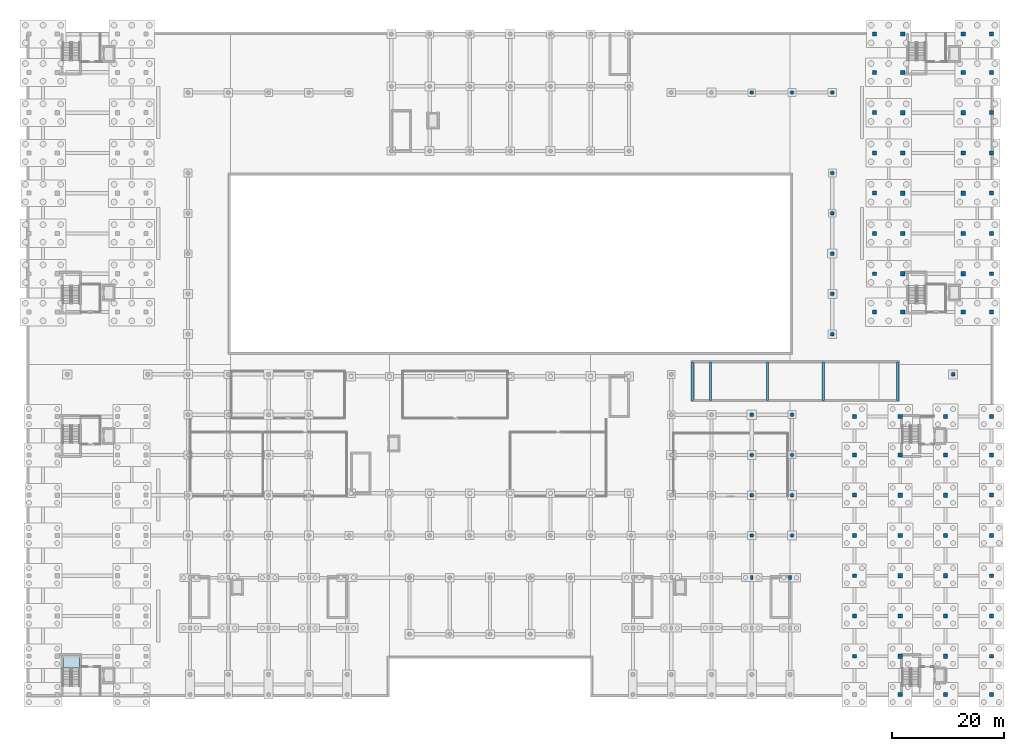
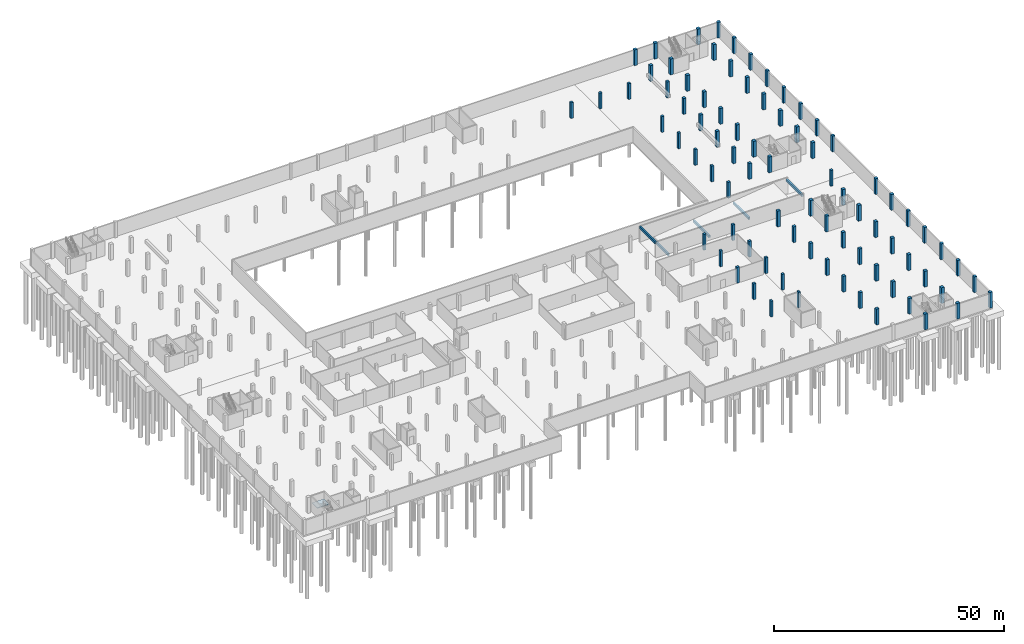
# One storey, part 15 of 36: 82 columns, 5 beams, 1 slab, 1 element without a shape of its own.
"""IFC4 building model written with IfcOpenShell, lengths in metres."""

from ifc_helpers import new_model, si_unit, derived_unit, direction, frame, origin, origin_2d, place, context, subcontext, project, spatial, polyline, rectangle, outline, extrude, material, layer, layer_set, material_profile, profile_set, type_object, element, aggregate, save


model = new_model("IFC4")

# Units and contexts
model_context = context("Model", 3, precision=1e-05, world=origin(), true_north=direction((0.0, 1.0)))
body_context = subcontext(model_context, "Body", "Model", "MODEL_VIEW")
ifc_project = project(units=[si_unit("LENGTHUNIT", "METRE"), si_unit("AREAUNIT", "SQUARE_METRE"), si_unit("VOLUMEUNIT", "CUBIC_METRE"), si_unit("PLANEANGLEUNIT", "RADIAN"), si_unit("MASSUNIT", "GRAM", prefix="KILO"), derived_unit("THERMALTRANSMITTANCEUNIT", [(si_unit("MASSUNIT", "GRAM", prefix="KILO"), 1), (si_unit("TIMEUNIT", "SECOND"), -3), (si_unit("THERMODYNAMICTEMPERATUREUNIT", "KELVIN"), -1)])], contexts=[model_context])

# Site, building, storey
site_placement = place(None, origin())
site = spatial("IfcSite", under=ifc_project, at=site_placement, CompositionType="ELEMENT")
building_placement = place(site_placement, origin())
building = spatial("IfcBuilding", under=site, at=building_placement, Name="Ochrekiln Boulevard Commons", CompositionType="ELEMENT")
storey_placement = place(building_placement, frame((0.0, 0.0, -4.199951171875)))
storey = spatial("IfcBuildingStorey", under=building, at=storey_placement, Name="B1", CompositionType="ELEMENT", Elevation=-4.199951171875)

# Columns
ifc_material_1 = material(Name="Concrete C35/45", Category="concrete")
ifc_material_profile_1 = material_profile(ifc_material_1, rectangle(XDim=0.5, YDim=0.699951171875, at=origin_2d()), Name="RC-COL-500x700")
ifc_profile_set_1 = profile_set([ifc_material_profile_1], Name="Concrete C35/45")
column_type_1 = type_object("IfcColumnType", Name="COL-RC-500x700", PredefinedType="COLUMN", material=ifc_profile_set_1)
for number, where, z_axis, x_axis, name in (
    (1, (129.60009765625, 21.25, 0.0), (0.0, 0.0, 1.0), (1.0, 0.0, 0.0), "East Boulevard Shops and Arcade B1 Column C-5070 (16)"),
    (2, (136.449951171875, 21.25, 0.0), (0.0, 0.0, 1.0), (1.0, 0.0, 0.0), "East Boulevard Shops and Arcade B1 Column C-5070 (20)"),
):
    element("IfcColumn", number, at=place(storey_placement, frame(where, z_axis=z_axis, x_axis=x_axis)), inside=storey, type_object=column_type_1, Name=name, PredefinedType="COLUMN", context=body_context, shape_type="SweptSolid", body=[
        extrude(rectangle(XDim=0.5, YDim=0.699951171875, at=origin_2d()), origin(), (0.0, 0.0, 1.0), 4.199951171875),
    ])
ifc_material_2 = material(Name="Concrete C40/50", Category="concrete")
ifc_material_profile_2 = material_profile(ifc_material_2, rectangle(XDim=0.60009765625, YDim=0.60009765625, at=origin_2d()), Name="RC-COL-600x600")
ifc_profile_set_2 = profile_set([ifc_material_profile_2], Name="Concrete C40/50")
column_type_2 = type_object("IfcColumnType", Name="COL-RC-600", PredefinedType="COLUMN", material=ifc_profile_set_2)
for number, where, z_axis, x_axis, name in (
    (3, (129.60009765625, 28.800048828125, 0.0), (0.0, 0.0, 1.0), (1.0, 0.0, 0.0), "B1 Courtyard Plaza Column C-600 (52)"),
    (4, (129.60009765625, 36.0, 0.0), (0.0, 0.0, 1.0), (1.0, 0.0, 0.0), "B1 Courtyard Plaza Column C-600 (53)"),
    (5, (129.60009765625, 43.199951171875, 0.0), (0.0, 0.0, 1.0), (1.0, 0.0, 0.0), "B1 Courtyard Plaza Column C-600 (54)"),
    (6, (129.60009765625, 50.39990234375, 0.0), (0.0, 0.0, 1.0), (1.0, 0.0, 0.0), "B1 Courtyard Plaza Column C-600 (55)"),
    (7, (129.60009765625, 108.0, 0.0), (0.0, 0.0, 1.0), (1.0, 0.0, 0.0), "B1 Courtyard Plaza Column C-600 (56)"),
    (8, (136.800048828125, 28.800048828125, 0.0), (0.0, 0.0, 1.0), (1.0, 0.0, 0.0), "B1 Courtyard Plaza Column C-600 (57)"),
    (9, (136.800048828125, 36.0, 0.0), (0.0, 0.0, 1.0), (1.0, 0.0, 0.0), "B1 Courtyard Plaza Column C-600 (58)"),
    (10, (136.800048828125, 43.199951171875, 0.0), (0.0, 0.0, 1.0), (1.0, 0.0, 0.0), "B1 Courtyard Plaza Column C-600 (59)"),
    (11, (136.800048828125, 50.39990234375, 0.0), (0.0, 0.0, 1.0), (1.0, 0.0, 0.0), "B1 Courtyard Plaza Column C-600 (60)"),
    (12, (136.800048828125, 108.0, 0.0), (0.0, 0.0, 1.0), (1.0, 0.0, 0.0), "B1 Courtyard Plaza Column C-600 (61)"),
    (13, (144.0, 64.800048828125, 0.0), (0.0, 0.0, 1.0), (1.0, 0.0, 0.0), "B1 Courtyard Plaza Column C-600 (62)"),
    (14, (144.0, 72.0, 0.0), (0.0, 0.0, 1.0), (1.0, 0.0, 0.0), "B1 Courtyard Plaza Column C-600 (63)"),
    (15, (144.0, 79.199951171875, 0.0), (0.0, 0.0, 1.0), (1.0, 0.0, 0.0), "B1 Courtyard Plaza Column C-600 (64)"),
    (16, (144.0, 86.39990234375, 0.0), (0.0, 0.0, 1.0), (1.0, 0.0, 0.0), "B1 Courtyard Plaza Column C-600 (65)"),
    (17, (144.0, 93.60009765625, 0.0), (0.0, 0.0, 1.0), (1.0, 0.0, 0.0), "B1 Courtyard Plaza Column C-600 (66)"),
    (18, (144.0, 108.0, 0.0), (0.0, 0.0, 1.0), (1.0, 0.0, 0.0), "B1 Courtyard Plaza Column C-600 (67)"),
    (19, (165.60009765625, 57.60009765625, 0.0), (0.0, 0.0, 1.0), (1.0, 0.0, 0.0), "B1 Courtyard Plaza Column C-600 (68)"),
):
    element("IfcColumn", number, at=place(storey_placement, frame(where, z_axis=z_axis, x_axis=x_axis)), inside=storey, type_object=column_type_2, Name=name, PredefinedType="COLUMN", context=body_context, shape_type="SweptSolid", body=[
        extrude(rectangle(XDim=0.60009765625, YDim=0.60009765625, at=origin_2d()), origin(), (0.0, 0.0, 1.0), 4.199951171875),
    ])
ifc_material_profile_3 = material_profile(ifc_material_2, rectangle(XDim=0.699951171875, YDim=0.699951171875, at=origin_2d()), Name="RC-COL-700x700")
ifc_profile_set_3 = profile_set([ifc_material_profile_3], Name="Concrete C40/50")
column_type_3 = type_object("IfcColumnType", Name="COL-RC-700", PredefinedType="COLUMN", material=ifc_profile_set_3)
for number, where, z_axis, x_axis, name in (
    (20, (151.550048828125, 68.75, 0.0), (0.0, 0.0, 1.0), (1.0, 0.0, 0.0), "Block B B1 Column C-700 (1)"),
    (21, (151.550048828125, 75.60009765625, 0.0), (0.0, 0.0, 1.0), (1.0, 0.0, 0.0), "Block B B1 Column C-700 (2)"),
    (22, (151.550048828125, 82.800048828125, 0.0), (0.0, 0.0, 1.0), (1.0, 0.0, 0.0), "Block B B1 Column C-700 (3)"),
    (23, (151.550048828125, 90.0, 0.0), (0.0, 0.0, 1.0), (1.0, 0.0, 0.0), "Block B B1 Column C-700 (4)"),
    (24, (151.550048828125, 97.199951171875, 0.0), (0.0, 0.0, 1.0), (1.0, 0.0, 0.0), "Block B B1 Column C-700 (5)"),
    (25, (151.550048828125, 104.39990234375, 0.0), (0.0, 0.0, 1.0), (1.0, 0.0, 0.0), "Block B B1 Column C-700 (6)"),
    (26, (151.550048828125, 111.60009765625, 0.0), (0.0, 0.0, 1.0), (1.0, 0.0, 0.0), "Block B B1 Column C-700 (7)"),
    (27, (151.550048828125, 118.449951171875, 0.0), (0.0, 0.0, 1.0), (1.0, 0.0, 0.0), "Block B B1 Column C-700 (8)"),
    (28, (172.449951171875, 68.75, 0.0), (0.0, 0.0, 1.0), (1.0, 0.0, 0.0), "Block B B1 Column C-700 (25)"),
    (29, (172.449951171875, 75.60009765625, 0.0), (0.0, 0.0, 1.0), (1.0, 0.0, 0.0), "Block B B1 Column C-700 (26)"),
    (30, (172.449951171875, 82.800048828125, 0.0), (0.0, 0.0, 1.0), (1.0, 0.0, 0.0), "Block B B1 Column C-700 (27)"),
    (31, (172.449951171875, 90.0, 0.0), (0.0, 0.0, 1.0), (1.0, 0.0, 0.0), "Block B B1 Column C-700 (28)"),
    (32, (172.449951171875, 97.199951171875, 0.0), (0.0, 0.0, 1.0), (1.0, 0.0, 0.0), "Block B B1 Column C-700 (29)"),
    (33, (172.449951171875, 104.39990234375, 0.0), (0.0, 0.0, 1.0), (1.0, 0.0, 0.0), "Block B B1 Column C-700 (30)"),
    (34, (172.449951171875, 111.60009765625, 0.0), (0.0, 0.0, 1.0), (1.0, 0.0, 0.0), "Block B B1 Column C-700 (31)"),
    (35, (172.449951171875, 118.449951171875, 0.0), (0.0, 0.0, 1.0), (1.0, 0.0, 0.0), "Block B B1 Column C-700 (32)"),
    (36, (147.949951171875, 7.199951171875, 0.0), (0.0, 0.0, 1.0), (1.0, 0.0, 0.0), "Block C B1 Column C-700 (2)"),
    (37, (147.949951171875, 14.39990234375, 0.0), (0.0, 0.0, 1.0), (1.0, 0.0, 0.0), "Block C B1 Column C-700 (3)"),
    (38, (147.949951171875, 21.60009765625, 0.0), (0.0, 0.0, 1.0), (1.0, 0.0, 0.0), "Block C B1 Column C-700 (4)"),
    (39, (147.949951171875, 28.800048828125, 0.0), (0.0, 0.0, 1.0), (1.0, 0.0, 0.0), "Block C B1 Column C-700 (5)"),
    (40, (147.949951171875, 36.0, 0.0), (0.0, 0.0, 1.0), (1.0, 0.0, 0.0), "Block C B1 Column C-700 (6)"),
    (41, (147.949951171875, 43.199951171875, 0.0), (0.0, 0.0, 1.0), (1.0, 0.0, 0.0), "Block C B1 Column C-700 (7)"),
    (42, (147.949951171875, 50.050048828125, 0.0), (0.0, 0.0, 1.0), (1.0, 0.0, 0.0), "Block C B1 Column C-700 (8)"),
    (43, (172.449951171875, 0.35009765625, 0.0), (0.0, 0.0, 1.0), (1.0, 0.0, 0.0), "Block C B1 Column C-700 (25)"),
    (44, (172.449951171875, 7.199951171875, 0.0), (0.0, 0.0, 1.0), (1.0, 0.0, 0.0), "Block C B1 Column C-700 (26)"),
    (45, (172.449951171875, 14.39990234375, 0.0), (0.0, 0.0, 1.0), (1.0, 0.0, 0.0), "Block C B1 Column C-700 (27)"),
    (46, (172.449951171875, 21.60009765625, 0.0), (0.0, 0.0, 1.0), (1.0, 0.0, 0.0), "Block C B1 Column C-700 (28)"),
    (47, (172.449951171875, 28.800048828125, 0.0), (0.0, 0.0, 1.0), (1.0, 0.0, 0.0), "Block C B1 Column C-700 (29)"),
    (48, (172.449951171875, 36.0, 0.0), (0.0, 0.0, 1.0), (1.0, 0.0, 0.0), "Block C B1 Column C-700 (30)"),
    (49, (172.449951171875, 43.199951171875, 0.0), (0.0, 0.0, 1.0), (1.0, 0.0, 0.0), "Block C B1 Column C-700 (31)"),
    (50, (172.449951171875, 50.050048828125, 0.0), (0.0, 0.0, 1.0), (1.0, 0.0, 0.0), "Block C B1 Column C-700 (32)"),
):
    element("IfcColumn", number, at=place(storey_placement, frame(where, z_axis=z_axis, x_axis=x_axis)), inside=storey, type_object=column_type_3, Name=name, PredefinedType="COLUMN", context=body_context, shape_type="SweptSolid", body=[
        extrude(rectangle(XDim=0.699951171875, YDim=0.699951171875, at=origin_2d()), origin(), (0.0, 0.0, 1.0), 4.199951171875),
    ])
ifc_material_profile_4 = material_profile(ifc_material_2, rectangle(XDim=0.75, YDim=0.75, at=origin_2d()), Name="RC-COL-750x750")
ifc_profile_set_4 = profile_set([ifc_material_profile_4], Name="Concrete C40/50")
column_type_4 = type_object("IfcColumnType", Name="COL-RC-750", PredefinedType="COLUMN", material=ifc_profile_set_4)
for number, where, z_axis, x_axis, name in (
    (51, (156.60009765625, 68.75, 0.0), (0.0, 0.0, 1.0), (1.0, 0.0, 0.0), "Block B B1 Column C-750 (9)"),
    (52, (156.60009765625, 75.60009765625, 0.0), (0.0, 0.0, 1.0), (1.0, 0.0, 0.0), "Block B B1 Column C-750 (10)"),
    (53, (156.60009765625, 82.800048828125, 0.0), (0.0, 0.0, 1.0), (1.0, 0.0, 0.0), "Block B B1 Column C-750 (11)"),
    (54, (156.60009765625, 90.0, 0.0), (0.0, 0.0, 1.0), (1.0, 0.0, 0.0), "Block B B1 Column C-750 (12)"),
    (55, (156.60009765625, 97.199951171875, 0.0), (0.0, 0.0, 1.0), (1.0, 0.0, 0.0), "Block B B1 Column C-750 (13)"),
    (56, (156.60009765625, 104.39990234375, 0.0), (0.0, 0.0, 1.0), (1.0, 0.0, 0.0), "Block B B1 Column C-750 (14)"),
    (57, (156.60009765625, 111.60009765625, 0.0), (0.0, 0.0, 1.0), (1.0, 0.0, 0.0), "Block B B1 Column C-750 (15)"),
    (58, (156.60009765625, 118.449951171875, 0.0), (0.0, 0.0, 1.0), (1.0, 0.0, 0.0), "Block B B1 Column C-750 (16)"),
    (59, (167.39990234375, 68.75, 0.0), (0.0, 0.0, 1.0), (1.0, 0.0, 0.0), "Block B B1 Column C-750 (17)"),
    (60, (167.39990234375, 75.60009765625, 0.0), (0.0, 0.0, 1.0), (1.0, 0.0, 0.0), "Block B B1 Column C-750 (18)"),
    (61, (167.39990234375, 82.800048828125, 0.0), (0.0, 0.0, 1.0), (1.0, 0.0, 0.0), "Block B B1 Column C-750 (19)"),
    (62, (167.39990234375, 90.0, 0.0), (0.0, 0.0, 1.0), (1.0, 0.0, 0.0), "Block B B1 Column C-750 (20)"),
    (63, (167.39990234375, 97.199951171875, 0.0), (0.0, 0.0, 1.0), (1.0, 0.0, 0.0), "Block B B1 Column C-750 (21)"),
    (64, (167.39990234375, 104.39990234375, 0.0), (0.0, 0.0, 1.0), (1.0, 0.0, 0.0), "Block B B1 Column C-750 (22)"),
    (65, (167.39990234375, 111.60009765625, 0.0), (0.0, 0.0, 1.0), (1.0, 0.0, 0.0), "Block B B1 Column C-750 (23)"),
    (66, (167.39990234375, 118.449951171875, 0.0), (0.0, 0.0, 1.0), (1.0, 0.0, 0.0), "Block B B1 Column C-750 (24)"),
    (67, (156.14990234375, 0.35009765625, 0.0), (0.0, 0.0, 1.0), (1.0, 0.0, 0.0), "Block C B1 Column C-750 (9)"),
    (68, (156.14990234375, 7.199951171875, 0.0), (0.0, 0.0, 1.0), (1.0, 0.0, 0.0), "Block C B1 Column C-750 (10)"),
    (69, (156.14990234375, 14.39990234375, 0.0), (0.0, 0.0, 1.0), (1.0, 0.0, 0.0), "Block C B1 Column C-750 (11)"),
    (70, (156.14990234375, 21.60009765625, 0.0), (0.0, 0.0, 1.0), (1.0, 0.0, 0.0), "Block C B1 Column C-750 (12)"),
    (71, (156.14990234375, 28.800048828125, 0.0), (0.0, 0.0, 1.0), (1.0, 0.0, 0.0), "Block C B1 Column C-750 (13)"),
    (72, (156.14990234375, 36.0, 0.0), (0.0, 0.0, 1.0), (1.0, 0.0, 0.0), "Block C B1 Column C-750 (14)"),
    (73, (156.14990234375, 43.199951171875, 0.0), (0.0, 0.0, 1.0), (1.0, 0.0, 0.0), "Block C B1 Column C-750 (15)"),
    (74, (156.14990234375, 50.050048828125, 0.0), (0.0, 0.0, 1.0), (1.0, 0.0, 0.0), "Block C B1 Column C-750 (16)"),
    (75, (164.25, 0.35009765625, 0.0), (0.0, 0.0, 1.0), (1.0, 0.0, 0.0), "Block C B1 Column C-750 (17)"),
    (76, (164.25, 7.199951171875, 0.0), (0.0, 0.0, 1.0), (1.0, 0.0, 0.0), "Block C B1 Column C-750 (18)"),
    (77, (164.25, 14.39990234375, 0.0), (0.0, 0.0, 1.0), (1.0, 0.0, 0.0), "Block C B1 Column C-750 (19)"),
    (78, (164.25, 21.60009765625, 0.0), (0.0, 0.0, 1.0), (1.0, 0.0, 0.0), "Block C B1 Column C-750 (20)"),
    (79, (164.25, 28.800048828125, 0.0), (0.0, 0.0, 1.0), (1.0, 0.0, 0.0), "Block C B1 Column C-750 (21)"),
    (80, (164.25, 36.0, 0.0), (0.0, 0.0, 1.0), (1.0, 0.0, 0.0), "Block C B1 Column C-750 (22)"),
    (81, (164.25, 43.199951171875, 0.0), (0.0, 0.0, 1.0), (1.0, 0.0, 0.0), "Block C B1 Column C-750 (23)"),
    (82, (164.25, 50.050048828125, 0.0), (0.0, 0.0, 1.0), (1.0, 0.0, 0.0), "Block C B1 Column C-750 (24)"),
):
    element("IfcColumn", number, at=place(storey_placement, frame(where, z_axis=z_axis, x_axis=x_axis)), inside=storey, type_object=column_type_4, Name=name, PredefinedType="COLUMN", context=body_context, shape_type="SweptSolid", body=[
        extrude(rectangle(XDim=0.75, YDim=0.75, at=origin_2d()), origin(), (0.0, 0.0, 1.0), 4.199951171875),
    ])

# Beams
ifc_material_profile_5 = material_profile(ifc_material_1, rectangle(XDim=0.39990234375, YDim=0.60009765625, at=origin_2d()), Name="RC-BM-400x600")
ifc_profile_set_5 = profile_set([ifc_material_profile_5], Name="Concrete C35/45")
beam_type = type_object("IfcBeamType", Name="BM-RC-400x600", PredefinedType="BEAM", material=ifc_profile_set_5)
for number, where, z_axis, x_axis, name in (
    (83, (122.199951171875, 52.949951171875, -0.3681640625), (0.0, 1.0, 0.0), (-1.0, 0.0, 0.0), "B1 Vehicular Ramp Transverse Support Beam 1"),
    (84, (132.39990234375, 52.949951171875, 0.892822265625), (0.0, 1.0, 0.0), (-1.0, 0.0, 0.0), "B1 Vehicular Ramp Transverse Support Beam 2"),
    (85, (142.39990234375, 52.949951171875, 2.142822265625), (0.0, 1.0, 0.0), (-1.0, 0.0, 0.0), "B1 Vehicular Ramp Transverse Support Beam 3"),
    (86, (155.699951171875, 52.949951171875, 3.6005859375), (0.0, 1.0, 0.0), (-1.0, 0.0, 0.0), "B1 Vehicular Ramp Transverse Support Beam 4"),
    (87, (118.9599609375, 52.949951171875, 3.89990234375), (0.0, 1.0, 0.0), (-1.0, 0.0, 0.0), "B1 Car Park Portal West Header Beam B-4060"),
):
    element("IfcBeam", number, at=place(storey_placement, frame(where, z_axis=z_axis, x_axis=x_axis)), inside=storey, type_object=beam_type, Name=name, PredefinedType="BEAM", context=body_context, shape_type="SweptSolid", body=[
        extrude(rectangle(XDim=0.39990234375, YDim=0.60009765625, at=origin_2d()), origin(), (0.0, 0.0, 1.0), 6.900146484375),
    ])

# Stair, slab
stair_type = type_object("IfcStairType", Name="STR-DL-420", PredefinedType="TWO_STRAIGHT_RUN_STAIR", material=ifc_material_1)
stair_placement = place(storey_placement, origin())
stair = element("IfcStair", 88, at=stair_placement, inside=storey, type_object=stair_type, Name="B1 Enclosed Exit Stair ST-D1", PredefinedType="TWO_STRAIGHT_RUN_STAIR")
ifc_layer = layer(ifc_material_1, 0.199951171875)
ifc_layer_set = layer_set([ifc_layer], Name="Concrete C35/45")
slab_type = type_object("IfcSlabType", Name="SLB-LND-200", PredefinedType="LANDING", material=ifc_layer_set)
slab_placement = place(storey_placement, frame((0.0, 0.0, 1.89990234375)))
slab = element("IfcSlab", 89, at=slab_placement, type_object=slab_type, Name="ST-D1 landing 1", PredefinedType="LANDING", context=body_context, shape_type="SweptSolid", body=[
    extrude(outline(polyline([(9.39990234375, 5.06005859375), (9.39990234375, 7.320068359375), (6.39990234375, 7.320068359375), (6.39990234375, 5.06005859375), (9.39990234375, 5.06005859375)])), origin(), (0.0, 0.0, 1.0), 0.199951171875),
])
aggregate(stair, [slab])

save(model, "model.ifc")
